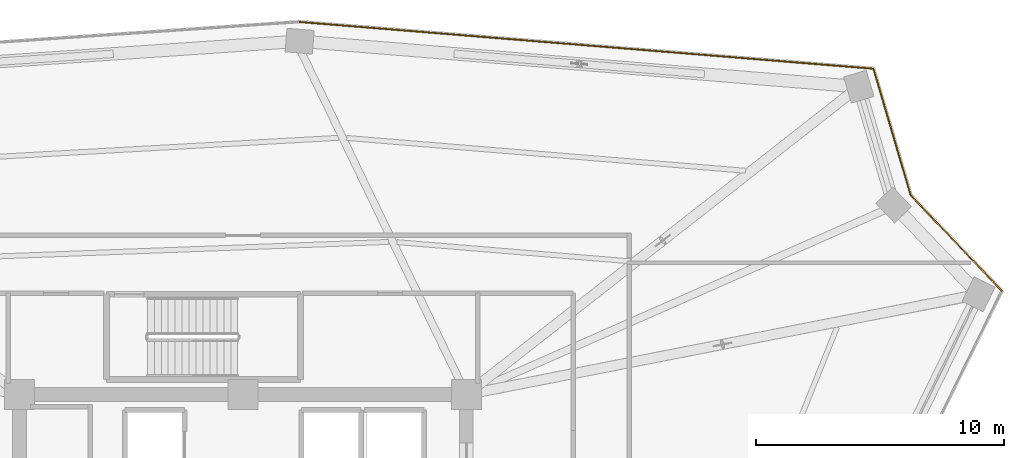
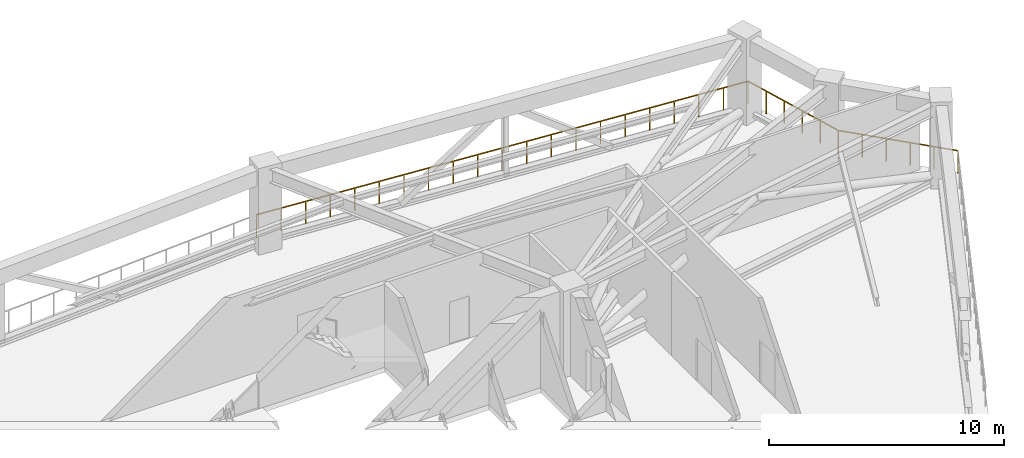
# One storey, part 22 of 22: 3 railings.
"""IFC4 building model written with IfcOpenShell, lengths in metres."""

from ifc_helpers import new_model, si_unit, direction, frame, origin, origin_2d, place, context, subcontext, project, spatial, rectangle, extrude, material, type_object, element, save


model = new_model("IFC4")

# Units and contexts
model_context = context("Model", 3, precision=1e-05, world=origin(), true_north=direction((0.0, 1.0)))
body_context = subcontext(model_context, "Body", "Model", "MODEL_VIEW")
ifc_project = project(units=[si_unit("LENGTHUNIT", "METRE"), si_unit("AREAUNIT", "SQUARE_METRE"), si_unit("VOLUMEUNIT", "CUBIC_METRE"), si_unit("PLANEANGLEUNIT", "RADIAN"), si_unit("MASSUNIT", "GRAM", prefix="KILO")], contexts=[model_context])

# Site, building, storey
site_placement = place(None, origin())
site = spatial("IfcSite", under=ifc_project, at=site_placement, CompositionType="ELEMENT")
building_placement = place(site_placement, origin())
building = spatial("IfcBuilding", under=site, at=building_placement, Name="Liaohun Quay Tower", CompositionType="ELEMENT")
storey_placement = place(building_placement, frame((0.0, 0.0, 324.0)))
storey = spatial("IfcBuildingStorey", under=building, at=storey_placement, Name="L84", CompositionType="ELEMENT", Elevation=324.0)

# Railings
ifc_material = material(Name="Galvanised and powder-coated steel", Category="steel")
railing_type = type_object("IfcRailingType", Name="RLG-GUARD-EXT", PredefinedType="GUARDRAIL", material=ifc_material)
railing_1_placement = place(storey_placement, frame((62.2900390625, 76.506103515625, 0.0)))
element("IfcRailing", 1, at=railing_1_placement, inside=storey, type_object=railing_type, Name="L84 Open Refuge Band Perimeter Guardrail 06", PredefinedType="GUARDRAIL", context=body_context, shape_type="SweptSolid", body=[
    extrude(rectangle(XDim=0.048095703125, YDim=0.048095703125, at=origin_2d()), frame((0.0, 0.0, 1.17578125), z_axis=(0.996698458299, -0.081192260868, 0.0), x_axis=(0.081192260868, 0.996698458299, 0.0)), (0.0, 0.0, 1.0), 23.180419921875),
    extrude(rectangle(XDim=0.0419921875, YDim=0.0419921875, at=origin_2d()), origin(), (0.0, 0.0, 1.0), 1.15185546875),
    extrude(rectangle(XDim=0.0419921875, YDim=0.0419921875, at=origin_2d()), frame((1.1552734375, -0.093994140625, 0.0)), (0.0, 0.0, 1.0), 1.15185546875),
    extrude(rectangle(XDim=0.0419921875, YDim=0.0419921875, at=origin_2d()), frame((2.310302734375, -0.188232421875, 0.0)), (0.0, 0.0, 1.0), 1.15185546875),
    extrude(rectangle(XDim=0.0419921875, YDim=0.0419921875, at=origin_2d()), frame((3.465576171875, -0.2822265625, 0.0)), (0.0, 0.0, 1.0), 1.15185546875),
    extrude(rectangle(XDim=0.0419921875, YDim=0.0419921875, at=origin_2d()), frame((4.620849609375, -0.37646484375, 0.0)), (0.0, 0.0, 1.0), 1.15185546875),
    extrude(rectangle(XDim=0.0419921875, YDim=0.0419921875, at=origin_2d()), frame((5.77587890625, -0.470458984375, 0.0)), (0.0, 0.0, 1.0), 1.15185546875),
    extrude(rectangle(XDim=0.0419921875, YDim=0.0419921875, at=origin_2d()), frame((6.93115234375, -0.564697265625, 0.0)), (0.0, 0.0, 1.0), 1.15185546875),
    extrude(rectangle(XDim=0.0419921875, YDim=0.0419921875, at=origin_2d()), frame((8.08642578125, -0.65869140625, 0.0)), (0.0, 0.0, 1.0), 1.15185546875),
    extrude(rectangle(XDim=0.0419921875, YDim=0.0419921875, at=origin_2d()), frame((9.24169921875, -0.7529296875, 0.0)), (0.0, 0.0, 1.0), 1.15185546875),
    extrude(rectangle(XDim=0.0419921875, YDim=0.0419921875, at=origin_2d()), frame((10.396728515625, -0.846923828125, 0.0)), (0.0, 0.0, 1.0), 1.15185546875),
    extrude(rectangle(XDim=0.0419921875, YDim=0.0419921875, at=origin_2d()), frame((11.552001953125, -0.94091796875, 0.0)), (0.0, 0.0, 1.0), 1.15185546875),
    extrude(rectangle(XDim=0.0419921875, YDim=0.0419921875, at=origin_2d()), frame((12.707275390625, -1.03515625, 0.0)), (0.0, 0.0, 1.0), 1.15185546875),
    extrude(rectangle(XDim=0.0419921875, YDim=0.0419921875, at=origin_2d()), frame((13.8623046875, -1.129150390625, 0.0)), (0.0, 0.0, 1.0), 1.15185546875),
    extrude(rectangle(XDim=0.0419921875, YDim=0.0419921875, at=origin_2d()), frame((15.017578125, -1.223388671875, 0.0)), (0.0, 0.0, 1.0), 1.15185546875),
    extrude(rectangle(XDim=0.0419921875, YDim=0.0419921875, at=origin_2d()), frame((16.1728515625, -1.3173828125, 0.0)), (0.0, 0.0, 1.0), 1.15185546875),
    extrude(rectangle(XDim=0.0419921875, YDim=0.0419921875, at=origin_2d()), frame((17.328125, -1.41162109375, 0.0)), (0.0, 0.0, 1.0), 1.15185546875),
    extrude(rectangle(XDim=0.0419921875, YDim=0.0419921875, at=origin_2d()), frame((18.483154296875, -1.505615234375, 0.0)), (0.0, 0.0, 1.0), 1.15185546875),
    extrude(rectangle(XDim=0.0419921875, YDim=0.0419921875, at=origin_2d()), frame((19.638427734375, -1.599853515625, 0.0)), (0.0, 0.0, 1.0), 1.15185546875),
    extrude(rectangle(XDim=0.0419921875, YDim=0.0419921875, at=origin_2d()), frame((20.793701171875, -1.69384765625, 0.0)), (0.0, 0.0, 1.0), 1.15185546875),
    extrude(rectangle(XDim=0.0419921875, YDim=0.0419921875, at=origin_2d()), frame((21.94873046875, -1.7880859375, 0.0)), (0.0, 0.0, 1.0), 1.15185546875),
    extrude(rectangle(XDim=0.0419921875, YDim=0.0419921875, at=origin_2d()), frame((23.10400390625, -1.882080078125, 0.0)), (0.0, 0.0, 1.0), 1.15185546875),
])
railing_2_placement = place(storey_placement, frame((85.39404296875, 74.6240234375, 0.0)))
element("IfcRailing", 2, at=railing_2_placement, inside=storey, type_object=railing_type, Name="L84 Open Refuge Band Perimeter Guardrail 07", PredefinedType="GUARDRAIL", context=body_context, shape_type="SweptSolid", body=[
    extrude(rectangle(XDim=0.048095703125, YDim=0.048095703125, at=origin_2d()), frame((0.0, 0.0, 1.17578125), z_axis=(0.282711144838, -0.959205092034, 0.0), x_axis=(0.959205092034, 0.282711144838, 0.0)), (0.0, 0.0, 1.0), 5.312744140625),
    extrude(rectangle(XDim=0.0419921875, YDim=0.0419921875, at=origin_2d()), origin(), (0.0, 0.0, 1.0), 1.15185546875),
    extrude(rectangle(XDim=0.0419921875, YDim=0.0419921875, at=origin_2d()), frame((0.30029296875, -1.019287109375, 0.0)), (0.0, 0.0, 1.0), 1.15185546875),
    extrude(rectangle(XDim=0.0419921875, YDim=0.0419921875, at=origin_2d()), frame((0.600830078125, -2.038330078125, 0.0)), (0.0, 0.0, 1.0), 1.15185546875),
    extrude(rectangle(XDim=0.0419921875, YDim=0.0419921875, at=origin_2d()), frame((0.901123046875, -3.0576171875, 0.0)), (0.0, 0.0, 1.0), 1.15185546875),
    extrude(rectangle(XDim=0.0419921875, YDim=0.0419921875, at=origin_2d()), frame((1.20166015625, -4.07666015625, 0.0)), (0.0, 0.0, 1.0), 1.15185546875),
    extrude(rectangle(XDim=0.0419921875, YDim=0.0419921875, at=origin_2d()), frame((1.501953125, -5.095947265625, 0.0)), (0.0, 0.0, 1.0), 1.15185546875),
])
railing_3_placement = place(storey_placement, frame((86.89599609375, 69.528076171875, 0.0)))
element("IfcRailing", 3, at=railing_3_placement, inside=storey, type_object=railing_type, Name="L84 Open Refuge Band Perimeter Guardrail 08", PredefinedType="GUARDRAIL", context=body_context, shape_type="SweptSolid", body=[
    extrude(rectangle(XDim=0.048095703125, YDim=0.048095703125, at=origin_2d()), frame((0.0, 0.0, 1.17578125), z_axis=(0.689379698536, -0.724400187222, 0.0), x_axis=(0.724400187222, 0.689379698536, 0.0)), (0.0, 0.0, 1.0), 5.312255859375),
    extrude(rectangle(XDim=0.0419921875, YDim=0.0419921875, at=origin_2d()), origin(), (0.0, 0.0, 1.0), 1.15185546875),
    extrude(rectangle(XDim=0.0419921875, YDim=0.0419921875, at=origin_2d()), frame((0.732421875, -0.76953125, 0.0)), (0.0, 0.0, 1.0), 1.15185546875),
    extrude(rectangle(XDim=0.0419921875, YDim=0.0419921875, at=origin_2d()), frame((1.46484375, -1.539306640625, 0.0)), (0.0, 0.0, 1.0), 1.15185546875),
    extrude(rectangle(XDim=0.0419921875, YDim=0.0419921875, at=origin_2d()), frame((2.197265625, -2.308837890625, 0.0)), (0.0, 0.0, 1.0), 1.15185546875),
    extrude(rectangle(XDim=0.0419921875, YDim=0.0419921875, at=origin_2d()), frame((2.9296875, -3.07861328125, 0.0)), (0.0, 0.0, 1.0), 1.15185546875),
    extrude(rectangle(XDim=0.0419921875, YDim=0.0419921875, at=origin_2d()), frame((3.662109375, -3.84814453125, 0.0)), (0.0, 0.0, 1.0), 1.15185546875),
])

save(model, "model.ifc")
